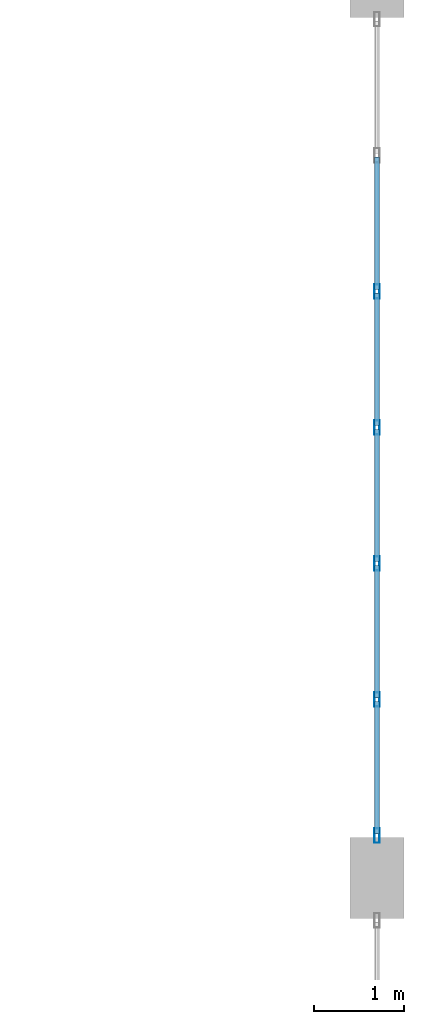
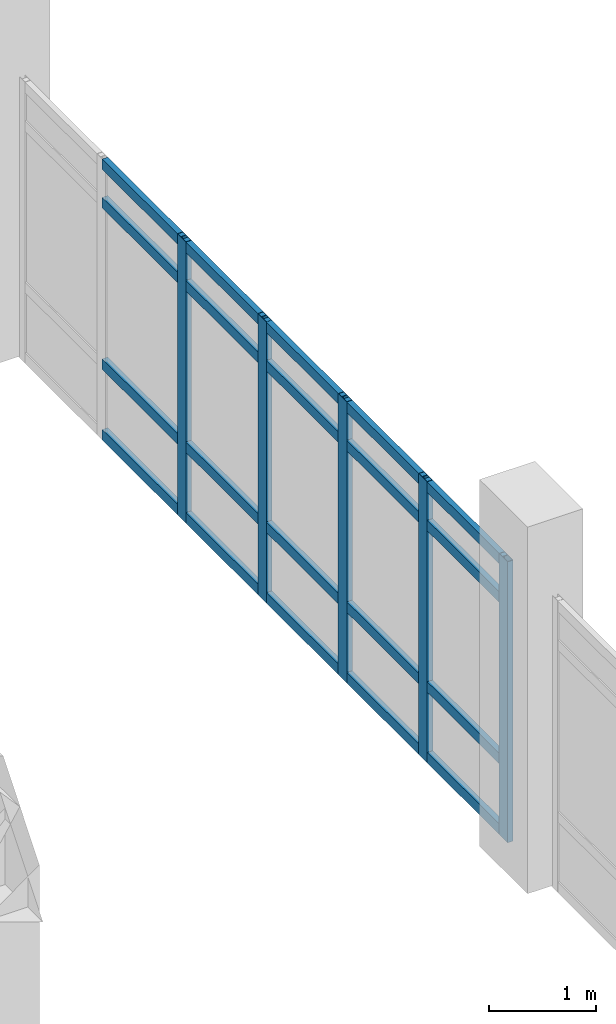
# One storey, part 79 of 111: 25 members, 1 element without a shape of its own.
"""IFC4 building model written with IfcOpenShell, lengths in metres."""

from ifc_helpers import new_model, si_unit, direction, frame, origin, origin_2d, place, context, subcontext, project, spatial, hollow_rectangle, extrude, material, layer, layer_set, material_profile, profile_set, type_object, element, aggregate, save


model = new_model("IFC4")

# Units and contexts
model_context = context("Model", 3, precision=1e-05, world=origin(), true_north=direction((0.0, 1.0)))
body_context = subcontext(model_context, "Body", "Model", "MODEL_VIEW")
ifc_project = project(units=[si_unit("LENGTHUNIT", "METRE"), si_unit("AREAUNIT", "SQUARE_METRE"), si_unit("VOLUMEUNIT", "CUBIC_METRE"), si_unit("PLANEANGLEUNIT", "RADIAN"), si_unit("MASSUNIT", "GRAM", prefix="KILO")], contexts=[model_context])

# Site, building, storey
site_placement = place(None, origin())
site = spatial("IfcSite", under=ifc_project, at=site_placement, CompositionType="ELEMENT")
building_placement = place(site_placement, origin())
building = spatial("IfcBuilding", under=site, at=building_placement, Name="Mersad Railyard Sports Hall", CompositionType="ELEMENT")
storey_placement = place(building_placement, frame((0.0, 0.0, 9.0)))
storey = spatial("IfcBuildingStorey", under=building, at=storey_placement, Name="L02", CompositionType="ELEMENT", Elevation=9.0)

# Curtain wall, members
ifc_material = material(Name="Aluminium 6063-T6", Category="aluminium")
ifc_layer = layer(ifc_material, 0.159912109375)
ifc_layer_set = layer_set([ifc_layer], Name="Aluminium 6063-T6")
curtain_wall_type = type_object("IfcCurtainWallType", Name="ARC-CW-CW15", PredefinedType="USERDEFINED", material=ifc_layer_set)
curtain_wall_placement = place(storey_placement, origin())
curtain_wall = element("IfcCurtainWall", 1, at=curtain_wall_placement, inside=storey, type_object=curtain_wall_type, Name="Curtain wall CW15-0053", ObjectType="CURTAIN WALL", PredefinedType="USERDEFINED")
ifc_material_profile_1 = material_profile(ifc_material, hollow_rectangle(XDim=0.06005859375, YDim=0.159912109375, WallThickness=0.00390625, at=origin_2d()), Name="AL MULLION 60x160x4")
ifc_profile_set_1 = profile_set([ifc_material_profile_1], Name="Aluminium 6063-T6")
member_type_1 = type_object("IfcMemberType", Name="ARC-CW-MUL01", PredefinedType="MULLION", material=ifc_profile_set_1)
member_1_placement = place(storey_placement, frame((179.0, 50.010009765625, -0.02001953125), z_axis=(0.0, 0.0, 1.0), x_axis=(1.0, 0.0, 0.0)))
member_1 = element("IfcMember", 2, at=member_1_placement, type_object=member_type_1, Name="CW15 Mullion 3", PredefinedType="MULLION", context=body_context, shape_type="SweptSolid", body=[
    extrude(hollow_rectangle(XDim=0.06005859375, YDim=0.159912109375, WallThickness=0.00390625, at=origin_2d()), origin(), (0.0, 0.0, 1.0), 3.219970703125),
])
member_2_placement = place(storey_placement, frame((179.0, 48.5, -0.02001953125), z_axis=(0.0, 0.0, 1.0), x_axis=(1.0, 0.0, 0.0)))
member_2 = element("IfcMember", 3, at=member_2_placement, type_object=member_type_1, Name="CW15 Mullion 4", PredefinedType="MULLION", context=body_context, shape_type="SweptSolid", body=[
    extrude(hollow_rectangle(XDim=0.06005859375, YDim=0.159912109375, WallThickness=0.00390625, at=origin_2d()), origin(), (0.0, 0.0, 1.0), 3.219970703125),
])
member_3_placement = place(storey_placement, frame((179.0, 46.989990234375, -0.02001953125), z_axis=(0.0, 0.0, 1.0), x_axis=(1.0, 0.0, 0.0)))
member_3 = element("IfcMember", 4, at=member_3_placement, type_object=member_type_1, Name="CW15 Mullion 5", PredefinedType="MULLION", context=body_context, shape_type="SweptSolid", body=[
    extrude(hollow_rectangle(XDim=0.06005859375, YDim=0.159912109375, WallThickness=0.00390625, at=origin_2d()), origin(), (0.0, 0.0, 1.0), 3.219970703125),
])
member_4_placement = place(storey_placement, frame((179.0, 45.47998046875, -0.02001953125), z_axis=(0.0, 0.0, 1.0), x_axis=(1.0, 0.0, 0.0)))
member_4 = element("IfcMember", 5, at=member_4_placement, type_object=member_type_1, Name="CW15 Mullion 6", PredefinedType="MULLION", context=body_context, shape_type="SweptSolid", body=[
    extrude(hollow_rectangle(XDim=0.06005859375, YDim=0.159912109375, WallThickness=0.00390625, at=origin_2d()), origin(), (0.0, 0.0, 1.0), 3.219970703125),
])
member_5_placement = place(storey_placement, frame((179.0, 43.969970703125, -0.02001953125), z_axis=(0.0, 0.0, 1.0), x_axis=(1.0, 0.0, 0.0)))
member_5 = element("IfcMember", 6, at=member_5_placement, type_object=member_type_1, Name="CW15 Mullion 7", PredefinedType="MULLION", context=body_context, shape_type="SweptSolid", body=[
    extrude(hollow_rectangle(XDim=0.06005859375, YDim=0.159912109375, WallThickness=0.00390625, at=origin_2d()), origin(), (0.0, 0.0, 1.0), 3.219970703125),
])
ifc_material_profile_2 = material_profile(ifc_material, hollow_rectangle(XDim=0.06005859375, YDim=0.1201171875, WallThickness=0.00390625, at=origin_2d()), Name="AL TRANSOM 60x120x4")
ifc_profile_set_2 = profile_set([ifc_material_profile_2], Name="Aluminium 6063-T6")
member_type_2 = type_object("IfcMemberType", Name="ARC-CW-TRN01", PredefinedType="USERDEFINED", material=ifc_profile_set_2)
member_6_placement = place(storey_placement, frame((179.0, 51.5, 0.0400390625), z_axis=(0.0, -1.0, 0.0), x_axis=(1.0, 0.0, 0.0)))
member_6 = element("IfcMember", 7, at=member_6_placement, type_object=member_type_2, Name="CW15 Transom 1-2", ObjectType="TRANSOM", PredefinedType="USERDEFINED", context=body_context, shape_type="SweptSolid", body=[
    extrude(hollow_rectangle(XDim=0.06005859375, YDim=0.1201171875, WallThickness=0.00390625, at=origin_2d()), origin(), (0.0, 0.0, 1.0), 1.469970703125),
])
member_7_placement = place(storey_placement, frame((179.0, 49.989990234375, 0.0400390625), z_axis=(0.0, -1.0, 0.0), x_axis=(1.0, 0.0, 0.0)))
member_7 = element("IfcMember", 8, at=member_7_placement, type_object=member_type_2, Name="CW15 Transom 1-3", ObjectType="TRANSOM", PredefinedType="USERDEFINED", context=body_context, shape_type="SweptSolid", body=[
    extrude(hollow_rectangle(XDim=0.06005859375, YDim=0.1201171875, WallThickness=0.00390625, at=origin_2d()), origin(), (0.0, 0.0, 1.0), 1.469970703125),
])
member_8_placement = place(storey_placement, frame((179.0, 48.47998046875, 0.0400390625), z_axis=(0.0, -1.0, 0.0), x_axis=(1.0, 0.0, 0.0)))
member_8 = element("IfcMember", 9, at=member_8_placement, type_object=member_type_2, Name="CW15 Transom 1-4", ObjectType="TRANSOM", PredefinedType="USERDEFINED", context=body_context, shape_type="SweptSolid", body=[
    extrude(hollow_rectangle(XDim=0.06005859375, YDim=0.1201171875, WallThickness=0.00390625, at=origin_2d()), origin(), (0.0, 0.0, 1.0), 1.469970703125),
])
member_9_placement = place(storey_placement, frame((179.0, 46.969970703125, 0.0400390625), z_axis=(0.0, -1.0, 0.0), x_axis=(1.0, 0.0, 0.0)))
member_9 = element("IfcMember", 10, at=member_9_placement, type_object=member_type_2, Name="CW15 Transom 1-5", ObjectType="TRANSOM", PredefinedType="USERDEFINED", context=body_context, shape_type="SweptSolid", body=[
    extrude(hollow_rectangle(XDim=0.06005859375, YDim=0.1201171875, WallThickness=0.00390625, at=origin_2d()), origin(), (0.0, 0.0, 1.0), 1.469970703125),
])
member_10_placement = place(storey_placement, frame((179.0, 45.4599609375, 0.0400390625), z_axis=(0.0, -1.0, 0.0), x_axis=(1.0, 0.0, 0.0)))
member_10 = element("IfcMember", 11, at=member_10_placement, type_object=member_type_2, Name="CW15 Transom 1-6", ObjectType="TRANSOM", PredefinedType="USERDEFINED", context=body_context, shape_type="SweptSolid", body=[
    extrude(hollow_rectangle(XDim=0.06005859375, YDim=0.1201171875, WallThickness=0.00390625, at=origin_2d()), origin(), (0.0, 0.0, 1.0), 1.469970703125),
])
member_11_placement = place(storey_placement, frame((179.0, 51.5, 0.85009765625), z_axis=(0.0, -1.0, 0.0), x_axis=(1.0, 0.0, 0.0)))
member_11 = element("IfcMember", 12, at=member_11_placement, type_object=member_type_2, Name="CW15 Transom 2-2", ObjectType="TRANSOM", PredefinedType="USERDEFINED", context=body_context, shape_type="SweptSolid", body=[
    extrude(hollow_rectangle(XDim=0.06005859375, YDim=0.1201171875, WallThickness=0.00390625, at=origin_2d()), origin(), (0.0, 0.0, 1.0), 1.469970703125),
])
member_12_placement = place(storey_placement, frame((179.0, 49.989990234375, 0.85009765625), z_axis=(0.0, -1.0, 0.0), x_axis=(1.0, 0.0, 0.0)))
member_12 = element("IfcMember", 13, at=member_12_placement, type_object=member_type_2, Name="CW15 Transom 2-3", ObjectType="TRANSOM", PredefinedType="USERDEFINED", context=body_context, shape_type="SweptSolid", body=[
    extrude(hollow_rectangle(XDim=0.06005859375, YDim=0.1201171875, WallThickness=0.00390625, at=origin_2d()), origin(), (0.0, 0.0, 1.0), 1.469970703125),
])
member_13_placement = place(storey_placement, frame((179.0, 48.47998046875, 0.85009765625), z_axis=(0.0, -1.0, 0.0), x_axis=(1.0, 0.0, 0.0)))
member_13 = element("IfcMember", 14, at=member_13_placement, type_object=member_type_2, Name="CW15 Transom 2-4", ObjectType="TRANSOM", PredefinedType="USERDEFINED", context=body_context, shape_type="SweptSolid", body=[
    extrude(hollow_rectangle(XDim=0.06005859375, YDim=0.1201171875, WallThickness=0.00390625, at=origin_2d()), origin(), (0.0, 0.0, 1.0), 1.469970703125),
])
member_14_placement = place(storey_placement, frame((179.0, 46.969970703125, 0.85009765625), z_axis=(0.0, -1.0, 0.0), x_axis=(1.0, 0.0, 0.0)))
member_14 = element("IfcMember", 15, at=member_14_placement, type_object=member_type_2, Name="CW15 Transom 2-5", ObjectType="TRANSOM", PredefinedType="USERDEFINED", context=body_context, shape_type="SweptSolid", body=[
    extrude(hollow_rectangle(XDim=0.06005859375, YDim=0.1201171875, WallThickness=0.00390625, at=origin_2d()), origin(), (0.0, 0.0, 1.0), 1.469970703125),
])
member_15_placement = place(storey_placement, frame((179.0, 45.4599609375, 0.85009765625), z_axis=(0.0, -1.0, 0.0), x_axis=(1.0, 0.0, 0.0)))
member_15 = element("IfcMember", 16, at=member_15_placement, type_object=member_type_2, Name="CW15 Transom 2-6", ObjectType="TRANSOM", PredefinedType="USERDEFINED", context=body_context, shape_type="SweptSolid", body=[
    extrude(hollow_rectangle(XDim=0.06005859375, YDim=0.1201171875, WallThickness=0.00390625, at=origin_2d()), origin(), (0.0, 0.0, 1.0), 1.469970703125),
])
member_16_placement = place(storey_placement, frame((179.0, 51.5, 2.699951171875), z_axis=(0.0, -1.0, 0.0), x_axis=(1.0, 0.0, 0.0)))
member_16 = element("IfcMember", 17, at=member_16_placement, type_object=member_type_2, Name="CW15 Transom 3-2", ObjectType="TRANSOM", PredefinedType="USERDEFINED", context=body_context, shape_type="SweptSolid", body=[
    extrude(hollow_rectangle(XDim=0.06005859375, YDim=0.1201171875, WallThickness=0.00390625, at=origin_2d()), origin(), (0.0, 0.0, 1.0), 1.469970703125),
])
member_17_placement = place(storey_placement, frame((179.0, 49.989990234375, 2.699951171875), z_axis=(0.0, -1.0, 0.0), x_axis=(1.0, 0.0, 0.0)))
member_17 = element("IfcMember", 18, at=member_17_placement, type_object=member_type_2, Name="CW15 Transom 3-3", ObjectType="TRANSOM", PredefinedType="USERDEFINED", context=body_context, shape_type="SweptSolid", body=[
    extrude(hollow_rectangle(XDim=0.06005859375, YDim=0.1201171875, WallThickness=0.00390625, at=origin_2d()), origin(), (0.0, 0.0, 1.0), 1.469970703125),
])
member_18_placement = place(storey_placement, frame((179.0, 48.47998046875, 2.699951171875), z_axis=(0.0, -1.0, 0.0), x_axis=(1.0, 0.0, 0.0)))
member_18 = element("IfcMember", 19, at=member_18_placement, type_object=member_type_2, Name="CW15 Transom 3-4", ObjectType="TRANSOM", PredefinedType="USERDEFINED", context=body_context, shape_type="SweptSolid", body=[
    extrude(hollow_rectangle(XDim=0.06005859375, YDim=0.1201171875, WallThickness=0.00390625, at=origin_2d()), origin(), (0.0, 0.0, 1.0), 1.469970703125),
])
member_19_placement = place(storey_placement, frame((179.0, 46.969970703125, 2.699951171875), z_axis=(0.0, -1.0, 0.0), x_axis=(1.0, 0.0, 0.0)))
member_19 = element("IfcMember", 20, at=member_19_placement, type_object=member_type_2, Name="CW15 Transom 3-5", ObjectType="TRANSOM", PredefinedType="USERDEFINED", context=body_context, shape_type="SweptSolid", body=[
    extrude(hollow_rectangle(XDim=0.06005859375, YDim=0.1201171875, WallThickness=0.00390625, at=origin_2d()), origin(), (0.0, 0.0, 1.0), 1.469970703125),
])
member_20_placement = place(storey_placement, frame((179.0, 45.4599609375, 2.699951171875), z_axis=(0.0, -1.0, 0.0), x_axis=(1.0, 0.0, 0.0)))
member_20 = element("IfcMember", 21, at=member_20_placement, type_object=member_type_2, Name="CW15 Transom 3-6", ObjectType="TRANSOM", PredefinedType="USERDEFINED", context=body_context, shape_type="SweptSolid", body=[
    extrude(hollow_rectangle(XDim=0.06005859375, YDim=0.1201171875, WallThickness=0.00390625, at=origin_2d()), origin(), (0.0, 0.0, 1.0), 1.469970703125),
])
member_21_placement = place(storey_placement, frame((179.0, 51.5, 3.139892578125), z_axis=(0.0, -1.0, 0.0), x_axis=(1.0, 0.0, 0.0)))
member_21 = element("IfcMember", 22, at=member_21_placement, type_object=member_type_2, Name="CW15 Transom 4-2", ObjectType="TRANSOM", PredefinedType="USERDEFINED", context=body_context, shape_type="SweptSolid", body=[
    extrude(hollow_rectangle(XDim=0.06005859375, YDim=0.1201171875, WallThickness=0.00390625, at=origin_2d()), origin(), (0.0, 0.0, 1.0), 1.469970703125),
])
member_22_placement = place(storey_placement, frame((179.0, 49.989990234375, 3.139892578125), z_axis=(0.0, -1.0, 0.0), x_axis=(1.0, 0.0, 0.0)))
member_22 = element("IfcMember", 23, at=member_22_placement, type_object=member_type_2, Name="CW15 Transom 4-3", ObjectType="TRANSOM", PredefinedType="USERDEFINED", context=body_context, shape_type="SweptSolid", body=[
    extrude(hollow_rectangle(XDim=0.06005859375, YDim=0.1201171875, WallThickness=0.00390625, at=origin_2d()), origin(), (0.0, 0.0, 1.0), 1.469970703125),
])
member_23_placement = place(storey_placement, frame((179.0, 48.47998046875, 3.139892578125), z_axis=(0.0, -1.0, 0.0), x_axis=(1.0, 0.0, 0.0)))
member_23 = element("IfcMember", 24, at=member_23_placement, type_object=member_type_2, Name="CW15 Transom 4-4", ObjectType="TRANSOM", PredefinedType="USERDEFINED", context=body_context, shape_type="SweptSolid", body=[
    extrude(hollow_rectangle(XDim=0.06005859375, YDim=0.1201171875, WallThickness=0.00390625, at=origin_2d()), origin(), (0.0, 0.0, 1.0), 1.469970703125),
])
member_24_placement = place(storey_placement, frame((179.0, 46.969970703125, 3.139892578125), z_axis=(0.0, -1.0, 0.0), x_axis=(1.0, 0.0, 0.0)))
member_24 = element("IfcMember", 25, at=member_24_placement, type_object=member_type_2, Name="CW15 Transom 4-5", ObjectType="TRANSOM", PredefinedType="USERDEFINED", context=body_context, shape_type="SweptSolid", body=[
    extrude(hollow_rectangle(XDim=0.06005859375, YDim=0.1201171875, WallThickness=0.00390625, at=origin_2d()), origin(), (0.0, 0.0, 1.0), 1.469970703125),
])
member_25_placement = place(storey_placement, frame((179.0, 45.4599609375, 3.139892578125), z_axis=(0.0, -1.0, 0.0), x_axis=(1.0, 0.0, 0.0)))
member_25 = element("IfcMember", 26, at=member_25_placement, type_object=member_type_2, Name="CW15 Transom 4-6", ObjectType="TRANSOM", PredefinedType="USERDEFINED", context=body_context, shape_type="SweptSolid", body=[
    extrude(hollow_rectangle(XDim=0.06005859375, YDim=0.1201171875, WallThickness=0.00390625, at=origin_2d()), origin(), (0.0, 0.0, 1.0), 1.469970703125),
])
aggregate(curtain_wall, [member_1, member_2, member_3, member_4, member_5, member_6, member_7, member_8, member_9, member_10, member_11, member_12, member_13, member_14, member_15, member_16, member_17, member_18, member_19, member_20, member_21, member_22, member_23, member_24, member_25])

save(model, "model.ifc")
